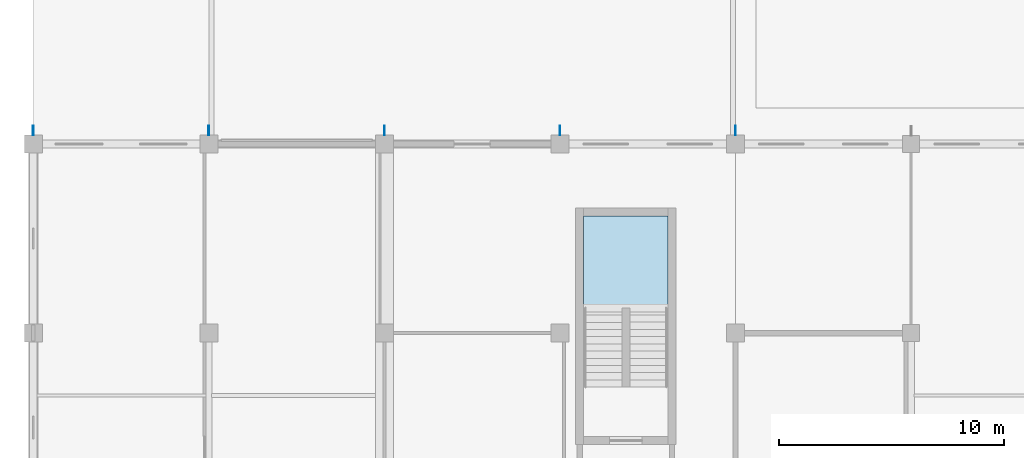
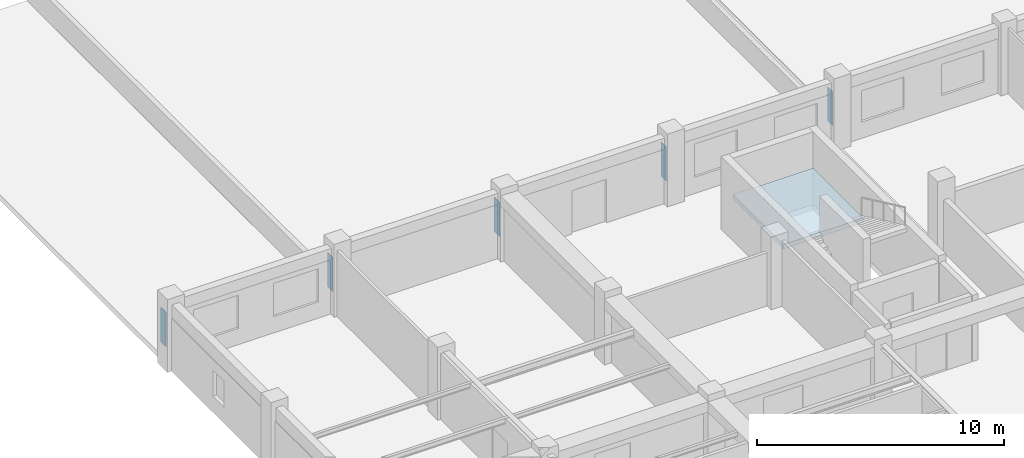
# One storey, part 27 of 50: 5 plates, 1 slab, 1 element without a shape of its own.
"""IFC4 building model written with IfcOpenShell, lengths in metres."""

from ifc_helpers import new_model, si_unit, direction, frame, origin, origin_2d, place, context, subcontext, project, spatial, polyline, rectangle, outline, extrude, material, layer, layer_set, type_object, element, aggregate, save


model = new_model("IFC4")

# Units and contexts
model_context = context("Model", 3, precision=1e-05, world=origin(), true_north=direction((0.0, 1.0)))
body_context = subcontext(model_context, "Body", "Model", "MODEL_VIEW")
ifc_project = project(units=[si_unit("LENGTHUNIT", "METRE"), si_unit("AREAUNIT", "SQUARE_METRE"), si_unit("VOLUMEUNIT", "CUBIC_METRE"), si_unit("PLANEANGLEUNIT", "RADIAN"), si_unit("MASSUNIT", "GRAM", prefix="KILO"), si_unit("THERMODYNAMICTEMPERATUREUNIT", "KELVIN"), si_unit("POWERUNIT", "WATT")], contexts=[model_context])

# Site, building, storey
site_placement = place(None, origin())
site = spatial("IfcSite", under=ifc_project, at=site_placement, CompositionType="ELEMENT")
building_placement = place(site_placement, origin())
building = spatial("IfcBuilding", under=site, at=building_placement, Name="Srebrne Nadtorze General Hospital", CompositionType="ELEMENT")
storey_placement = place(building_placement, frame((0.0, 0.0, 14.39990234375)))
storey = spatial("IfcBuildingStorey", under=building, at=storey_placement, Name="L03", CompositionType="ELEMENT", Elevation=14.39990234375)

# Stair, slab
ifc_material_1 = material(Name="Concrete C35/45", Category="concrete")
stair_type = type_object("IfcStairType", Name="Dog-leg escape stair 360", PredefinedType="HALF_TURN_STAIR", material=ifc_material_1)
stair_placement = place(storey_placement, origin())
stair = element("IfcStair", 1, at=stair_placement, inside=storey, type_object=stair_type, Name="Escape stair ST-02-L03", PredefinedType="HALF_TURN_STAIR")
ifc_material_2 = material(Name="Concrete C35/45", Category="concrete")
ifc_layer_1 = layer(ifc_material_2, 0.219970703125)
ifc_layer_set_1 = layer_set([ifc_layer_1], Name="Concrete C35/45")
slab_type = type_object("IfcSlabType", Name="Stair landing slab 220", PredefinedType="LANDING", material=ifc_layer_set_1)
slab_placement = place(storey_placement, frame((0.0, 0.0, 1.580078125)))
slab = element("IfcSlab", 2, at=slab_placement, type_object=slab_type, Name="ST-02 landing 1", PredefinedType="LANDING", context=body_context, shape_type="SweptSolid", body=[
    extrude(outline(polyline([(47.85009765625, 85.1201171875), (51.60009765625, 85.1201171875), (51.60009765625, 89.199951171875), (47.85009765625, 89.199951171875), (47.85009765625, 85.1201171875)])), origin(), (0.0, 0.0, 1.0), 0.219970703125),
])
aggregate(stair, [slab])

# Plates
ifc_material_3 = material(Name="Steel S355J2", Category="steel")
ifc_layer_2 = layer(ifc_material_3, 0.011962890625)
ifc_layer_set_2 = layer_set([ifc_layer_2], Name="Steel S355J2")
plate_type_1 = type_object("IfcPlateType", Name="Steel bearing plate 12", PredefinedType="SHEET", material=ifc_layer_set_2)
plate_1_placement = place(storey_placement, frame((54.60009765625, 93.0, 0.64990234375), z_axis=(0.0, 0.0, 1.0), x_axis=(1.0, 0.0, 0.0)))
element("IfcPlate", 3, at=plate_1_placement, inside=storey, type_object=plate_type_1, Name="Steel connection gusset plate 5", PredefinedType="SHEET", context=body_context, shape_type="SweptSolid", body=[
    extrude(rectangle(XDim=0.011962890625, YDim=0.419921875, at=origin_2d()), origin(), (0.0, 0.0, 1.0), 1.699951171875),
])
ifc_material_4 = material(Name="Steel S355J2", Category="steel")
ifc_layer_3 = layer(ifc_material_4, 0.02490234375)
ifc_layer_set_3 = layer_set([ifc_layer_3], Name="Steel S355J2")
plate_type_2 = type_object("IfcPlateType", Name="Steel gusset plate 25", PredefinedType="SHEET", material=ifc_layer_set_3)
plate_2_placement = place(storey_placement, frame((39.0, 93.0, 0.64990234375), z_axis=(0.0, 0.0, 1.0), x_axis=(1.0, 0.0, 0.0)))
element("IfcPlate", 4, at=plate_2_placement, inside=storey, type_object=plate_type_2, Name="Steel connection gusset plate 3", PredefinedType="SHEET", context=body_context, shape_type="SweptSolid", body=[
    extrude(rectangle(XDim=0.02490234375, YDim=0.419921875, at=origin_2d()), origin(), (0.0, 0.0, 1.0), 1.699951171875),
])
ifc_material_5 = material(Name="Steel S355J2", Category="steel")
ifc_layer_4 = layer(ifc_material_5, 0.031982421875)
ifc_layer_set_4 = layer_set([ifc_layer_4], Name="Steel S355J2")
plate_type_3 = type_object("IfcPlateType", Name="Steel gusset plate 32", PredefinedType="SHEET", material=ifc_layer_set_4)
plate_3_placement = place(storey_placement, frame((31.199951171875, 93.0, 0.64990234375), z_axis=(0.0, 0.0, 1.0), x_axis=(1.0, 0.0, 0.0)))
element("IfcPlate", 5, at=plate_3_placement, inside=storey, type_object=plate_type_3, Name="Steel connection gusset plate 2", PredefinedType="SHEET", context=body_context, shape_type="SweptSolid", body=[
    extrude(rectangle(XDim=0.031982421875, YDim=0.419921875, at=origin_2d()), origin(), (0.0, 0.0, 1.0), 1.699951171875),
])
ifc_material_6 = material(Name="Steel S355J2", Category="steel")
ifc_layer_5 = layer(ifc_material_6, 0.0400390625)
ifc_layer_set_5 = layer_set([ifc_layer_5], Name="Steel S355J2")
plate_type_4 = type_object("IfcPlateType", Name="Steel gusset plate 40", PredefinedType="SHEET", material=ifc_layer_set_5)
plate_4_placement = place(storey_placement, frame((23.39990234375, 93.0, 0.64990234375), z_axis=(0.0, 0.0, 1.0), x_axis=(1.0, 0.0, 0.0)))
element("IfcPlate", 6, at=plate_4_placement, inside=storey, type_object=plate_type_4, Name="Steel connection gusset plate 1", PredefinedType="SHEET", context=body_context, shape_type="SweptSolid", body=[
    extrude(rectangle(XDim=0.0400390625, YDim=0.419921875, at=origin_2d()), origin(), (0.0, 0.0, 1.0), 1.699951171875),
])
ifc_material_7 = material(Name="Steel S355J2", Category="steel")
ifc_layer_6 = layer(ifc_material_7, 0.01806640625)
ifc_layer_set_6 = layer_set([ifc_layer_6], Name="Steel S355J2")
plate_type_5 = type_object("IfcPlateType", Name="Steel stiffener plate 18", PredefinedType="SHEET", material=ifc_layer_set_6)
plate_5_placement = place(storey_placement, frame((46.800048828125, 93.0, 0.64990234375), z_axis=(0.0, 0.0, 1.0), x_axis=(1.0, 0.0, 0.0)))
element("IfcPlate", 7, at=plate_5_placement, inside=storey, type_object=plate_type_5, Name="Steel connection gusset plate 4", PredefinedType="SHEET", context=body_context, shape_type="SweptSolid", body=[
    extrude(rectangle(XDim=0.01806640625, YDim=0.419921875, at=origin_2d()), origin(), (0.0, 0.0, 1.0), 1.699951171875),
])

save(model, "model.ifc")
